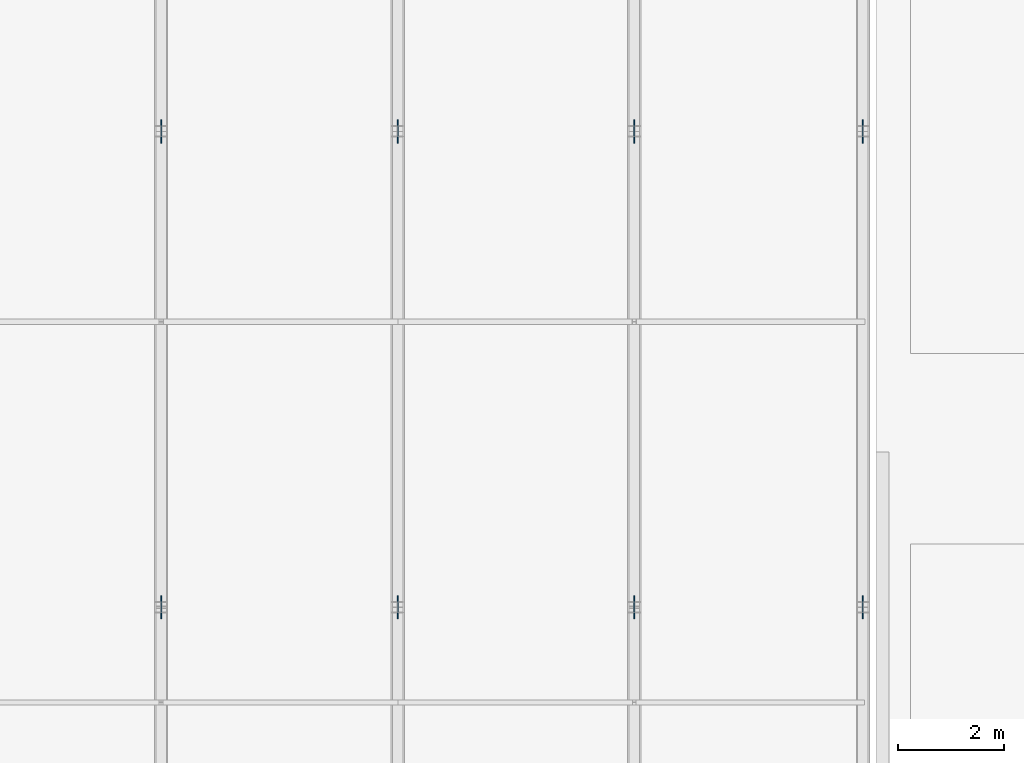
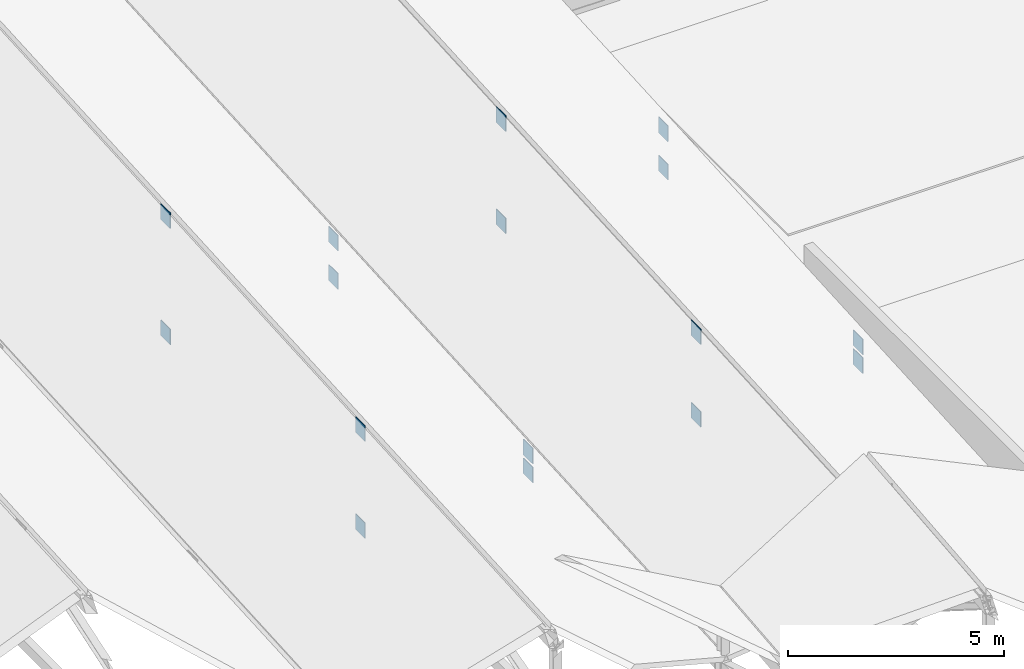
# One storey, part 115 of 142: 16 plates.
"""IFC4 building model written with IfcOpenShell, lengths in metres."""

from ifc_helpers import new_model, si_unit, direction, frame, origin, origin_2d, place, context, subcontext, project, spatial, rectangle, extrude, material, layer, layer_set, type_object, element, save


model = new_model("IFC4")

# Units and contexts
model_context = context("Model", 3, precision=1e-05, world=origin(), true_north=direction((0.0, 1.0)))
body_context = subcontext(model_context, "Body", "Model", "MODEL_VIEW")
ifc_project = project(units=[si_unit("LENGTHUNIT", "METRE"), si_unit("AREAUNIT", "SQUARE_METRE"), si_unit("VOLUMEUNIT", "CUBIC_METRE"), si_unit("PLANEANGLEUNIT", "RADIAN"), si_unit("MASSUNIT", "GRAM", prefix="KILO")], contexts=[model_context])

# Site, building, storey
site_placement = place(None, origin())
site = spatial("IfcSite", under=ifc_project, at=site_placement, CompositionType="ELEMENT")
building_placement = place(site_placement, origin())
building = spatial("IfcBuilding", under=site, at=building_placement, Name="Montelvaro Courts of Justice", CompositionType="ELEMENT")
storey_placement = place(building_placement, frame((0.0, 0.0, 14.39990234375)))
storey = spatial("IfcBuildingStorey", under=building, at=storey_placement, Name="L03", CompositionType="ELEMENT", Elevation=14.39990234375)

# Plates
ifc_material = material(Name="Steel S355", Category="steel")
ifc_layer = layer(ifc_material, 0.02001953125)
ifc_layer_set = layer_set([ifc_layer], Name="Steel S355")
plate_type = type_object("IfcPlateType", Name="GussetPlate_20", PredefinedType="USERDEFINED", material=ifc_layer_set)
for number, where, z_axis, x_axis, name in (
    (1, (90.0, 51.0, -0.519775390625), (0.0, 0.0, 1.0), (1.0, 0.0, 0.0), "Roof Truss Gusset Plate GP-01 ROOF-PASSAGE-VTR05-1B"),
    (2, (90.0, 51.0, 0.010009765625), (0.0, 0.0, 1.0), (1.0, 0.0, 0.0), "Roof Truss Gusset Plate GP-01 ROOF-PASSAGE-VTR05-1T"),
    (3, (90.0, 60.0, -0.519775390625), (0.0, 0.0, 1.0), (1.0, 0.0, 0.0), "Roof Truss Gusset Plate GP-01 ROOF-PASSAGE-VTR05-2B"),
    (4, (90.0, 60.0, 0.56005859375), (0.0, 0.0, 1.0), (1.0, 0.0, 0.0), "Roof Truss Gusset Plate GP-01 ROOF-PASSAGE-VTR05-2T"),
    (5, (98.800048828125, 51.0, -0.519775390625), (0.0, 0.0, 1.0), (1.0, 0.0, 0.0), "Roof Truss Gusset Plate GP-01 ROOF-PASSAGE-VTR06-1B"),
    (6, (98.800048828125, 51.0, 0.010009765625), (0.0, 0.0, 1.0), (1.0, 0.0, 0.0), "Roof Truss Gusset Plate GP-01 ROOF-PASSAGE-VTR06-1T"),
    (7, (98.800048828125, 60.0, -0.519775390625), (0.0, 0.0, 1.0), (1.0, 0.0, 0.0), "Roof Truss Gusset Plate GP-01 ROOF-PASSAGE-VTR06-2B"),
    (8, (98.800048828125, 60.0, 0.56005859375), (0.0, 0.0, 1.0), (1.0, 0.0, 0.0), "Roof Truss Gusset Plate GP-01 ROOF-PASSAGE-VTR06-2T"),
    (9, (85.52490234375, 51.0, -0.519775390625), (0.0, 0.0, 1.0), (1.0, 0.0, 0.0), "Roof Truss Gusset Plate GP-01 ROOF-PASSAGE-RTR04-1B"),
    (10, (85.52490234375, 51.0, 2.210205078125), (0.0, 0.0, 1.0), (1.0, 0.0, 0.0), "Roof Truss Gusset Plate GP-01 ROOF-PASSAGE-RTR04-1T"),
    (11, (85.52490234375, 60.0, -0.519775390625), (0.0, 0.0, 1.0), (1.0, 0.0, 0.0), "Roof Truss Gusset Plate GP-01 ROOF-PASSAGE-RTR04-2B"),
    (12, (85.52490234375, 60.0, 2.760009765625), (0.0, 0.0, 1.0), (1.0, 0.0, 0.0), "Roof Truss Gusset Plate GP-01 ROOF-PASSAGE-RTR04-2T"),
    (13, (94.47509765625, 51.0, -0.519775390625), (0.0, 0.0, 1.0), (1.0, 0.0, 0.0), "Roof Truss Gusset Plate GP-01 ROOF-PASSAGE-RTR05-1B"),
    (14, (94.47509765625, 51.0, 1.81005859375), (0.0, 0.0, 1.0), (1.0, 0.0, 0.0), "Roof Truss Gusset Plate GP-01 ROOF-PASSAGE-RTR05-1T"),
    (15, (94.47509765625, 60.0, -0.519775390625), (0.0, 0.0, 1.0), (1.0, 0.0, 0.0), "Roof Truss Gusset Plate GP-01 ROOF-PASSAGE-RTR05-2B"),
    (16, (94.47509765625, 60.0, 2.360107421875), (0.0, 0.0, 1.0), (1.0, 0.0, 0.0), "Roof Truss Gusset Plate GP-01 ROOF-PASSAGE-RTR05-2T"),
):
    element("IfcPlate", number, at=place(storey_placement, frame(where, z_axis=z_axis, x_axis=x_axis)), inside=storey, type_object=plate_type, Name=name, ObjectType="GUSSET PLATE", PredefinedType="USERDEFINED", context=body_context, shape_type="SweptSolid", body=[
        extrude(rectangle(XDim=0.02001953125, YDim=0.43994140625, at=origin_2d()), origin(), (0.0, 0.0, 1.0), 0.43994140625),
    ])

save(model, "model.ifc")
